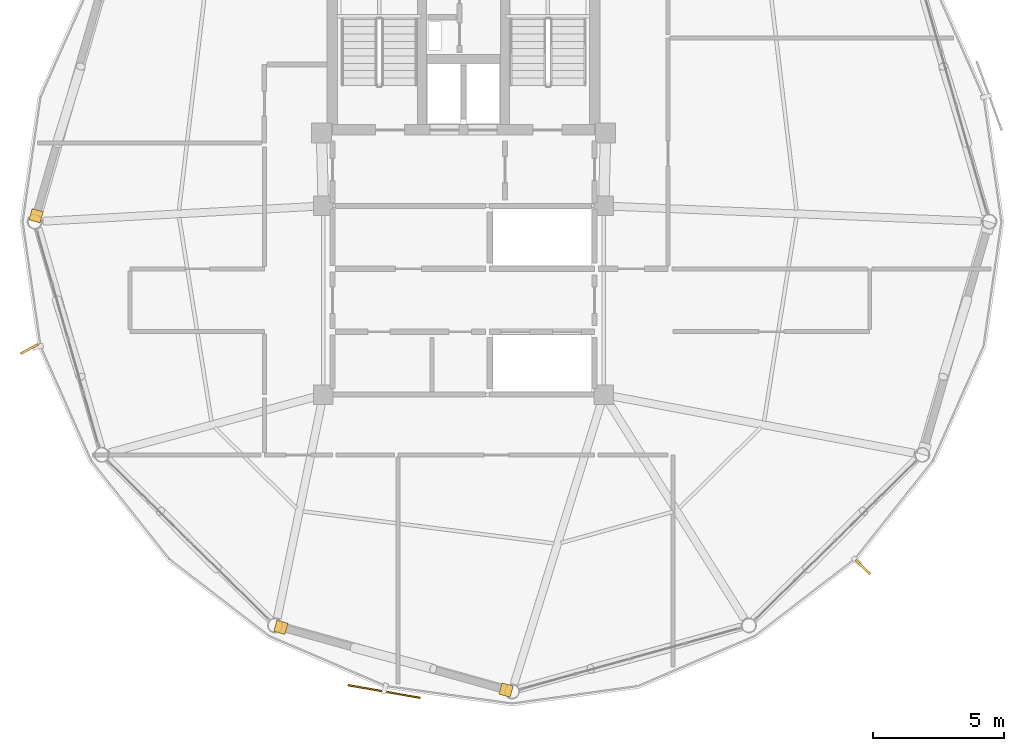
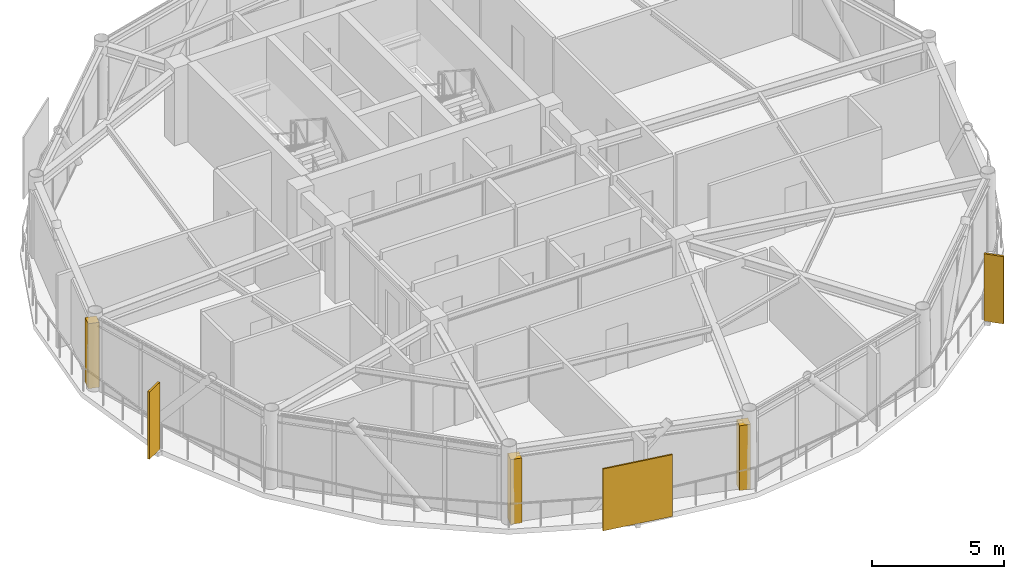
# One storey, part 24 of 27: 3 coverings, 3 shading devices.
"""IFC4 building model written with IfcOpenShell, lengths in metres."""

from ifc_helpers import new_model, si_unit, direction, frame, origin, origin_2d, place, context, subcontext, project, spatial, rectangle, extrude, source, transform, mapped, material, layer, layer_set, type_object, type_shapes, element, save


model = new_model("IFC4")

# Units and contexts
model_context = context("Model", 3, precision=1e-05, world=origin(), true_north=direction((0.0, 1.0)))
body_context = subcontext(model_context, "Body", "Model", "MODEL_VIEW")
ifc_project = project(units=[si_unit("LENGTHUNIT", "METRE"), si_unit("AREAUNIT", "SQUARE_METRE"), si_unit("VOLUMEUNIT", "CUBIC_METRE"), si_unit("PLANEANGLEUNIT", "RADIAN"), si_unit("MASSUNIT", "GRAM", prefix="KILO")], contexts=[model_context])

# Site, building, storey
site_placement = place(None, origin())
site = spatial("IfcSite", under=ifc_project, at=site_placement, CompositionType="ELEMENT")
building_placement = place(site_placement, origin())
building = spatial("IfcBuilding", under=site, at=building_placement, Name="Varnakorn Sky Granary", CompositionType="ELEMENT")
storey_placement = place(building_placement, frame((0.0, 0.0, 263.39990234375)))
storey = spatial("IfcBuildingStorey", under=building, at=storey_placement, Name="L67", CompositionType="ELEMENT", Elevation=263.39990234375)

# Coverings
ifc_material = material(Name="Anodised Bronze Aluminium Alloy 6063-T6", Category="aluminium")
ifc_layer = layer(ifc_material, 0.050048828125, Name="Anodised Bronze Aluminium Alloy 6063-T6")
ifc_layer_set = layer_set([ifc_layer], Name="Anodised Bronze Aluminium Alloy 6063-T6")
covering_type = type_object("IfcCoveringType", Name="CV-CLAD-50", PredefinedType="CLADDING", material=ifc_layer_set)
shared_shape_1 = source(origin(), body_context, "Body", "SweptSolid", [
    extrude(rectangle(XDim=0.43994140625, YDim=0.43994140625, at=origin_2d()), origin(), (0.0, 0.0, 1.0), 2.989990234375),
])
type_shapes(covering_type, [shared_shape_1])
for number, where, z_axis, x_axis, name in (
    (1, (-13.30908203125, 0.225341796875, -0.02001953125), (0.0, 0.0, 1.0), (0.276308375854, 0.961069030524, 0.0), "Bronze Corner Pilaster Closure L67-P06-A"),
    (2, (4.6240234375, -17.8740234375, -0.02001953125), (0.0, 0.0, 1.0), (-0.963303240852, 0.268415473035, 0.0), "Bronze Corner Pilaster Closure L67-P09-A"),
    (3, (-3.968505859375, -15.47998046875, -0.02001953125), (0.0, 0.0, 1.0), (-0.963303240852, 0.268415473035, 0.0), "Bronze Corner Pilaster Closure L67-P09-B"),
):
    element("IfcCovering", number, at=place(storey_placement, frame(where, z_axis=z_axis, x_axis=x_axis)), inside=storey, type_object=covering_type, Name=name, PredefinedType="CLADDING", context=body_context, shape_type="MappedRepresentation", body=[
        mapped(shared_shape_1, transform((0.0, 0.0, 0.0), x_axis=(1.0, 0.0, 0.0), y_axis=(0.0, 1.0, 0.0), z_axis=(0.0, 0.0, 1.0), scale=1.0)),
    ])

# Shading devices
shading_device_type_1 = type_object("IfcShadingDeviceType", Name="SH-FIN-03", PredefinedType="USERDEFINED", material=ifc_material)
shared_shape_2 = source(origin(), body_context, "Body", "SweptSolid", [
    extrude(rectangle(XDim=0.0849609375, YDim=0.760009765625, at=origin_2d()), origin(), (0.0, 0.0, 1.0), 3.10009765625),
])
type_shapes(shading_device_type_1, [shared_shape_2])
for number, where, z_axis, x_axis, name in (
    (4, (-13.569580078125, -4.859375, -0.0400390625), (0.0, 0.0, 1.0), (0.480172243326, -0.877174222569, 0.0), "Bronze Solar-Tracking Vertical Blade FIN L67-07"),
    (5, (18.240966796875, -13.182861328125, -0.0400390625), (0.0, 0.0, 1.0), (0.698429177794, 0.715679176452, 0.0), "Bronze Solar-Tracking Vertical Blade FIN L67-11"),
):
    element("IfcShadingDevice", number, at=place(storey_placement, frame(where, z_axis=z_axis, x_axis=x_axis)), inside=storey, type_object=shading_device_type_1, Name=name, ObjectType="FIN", PredefinedType="USERDEFINED", context=body_context, shape_type="MappedRepresentation", body=[
        mapped(shared_shape_2, transform((0.0, 0.0, 0.0), x_axis=(1.0, 0.0, 0.0), y_axis=(0.0, 1.0, 0.0), z_axis=(0.0, 0.0, 1.0), scale=1.0)),
    ])
shading_device_type_2 = type_object("IfcShadingDeviceType", Name="SH-SCR-03", PredefinedType="USERDEFINED", material=ifc_material)
shared_shape_3 = source(origin(), body_context, "Body", "SweptSolid", [
    extrude(rectangle(XDim=2.800048828125, YDim=0.06494140625, at=origin_2d()), origin(), (0.0, 0.0, 1.0), 2.85009765625),
])
type_shapes(shading_device_type_2, [shared_shape_3])
shading_device_placement = place(storey_placement, frame((-0.029296875, -17.92919921875, -0.0400390625), z_axis=(0.0, 0.0, 1.0), x_axis=(0.984885721659, -0.173205413522, 0.0)))
element("IfcShadingDevice", 6, at=shading_device_placement, inside=storey, type_object=shading_device_type_2, Name="Perforated Bronze Solar Screen Panel SCREEN L67-09", ObjectType="SCREEN", PredefinedType="USERDEFINED", context=body_context, shape_type="MappedRepresentation", body=[
    mapped(shared_shape_3, transform((0.0, 0.0, 0.0), x_axis=(1.0, 0.0, 0.0), y_axis=(0.0, 1.0, 0.0), z_axis=(0.0, 0.0, 1.0), scale=1.0)),
])

save(model, "model.ifc")
